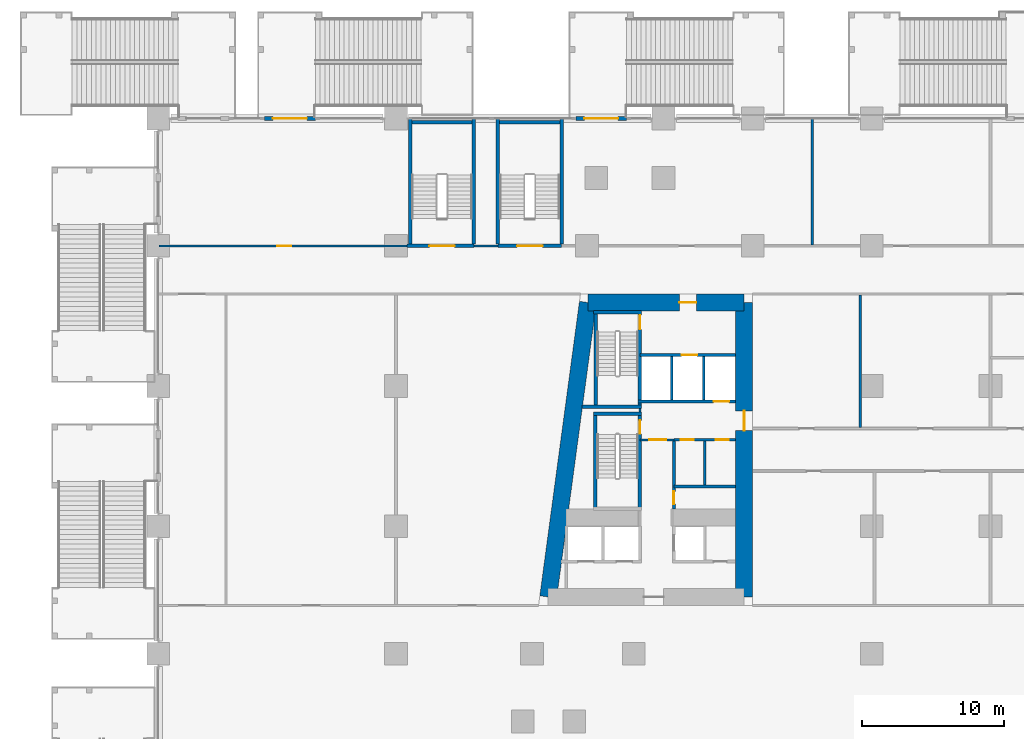
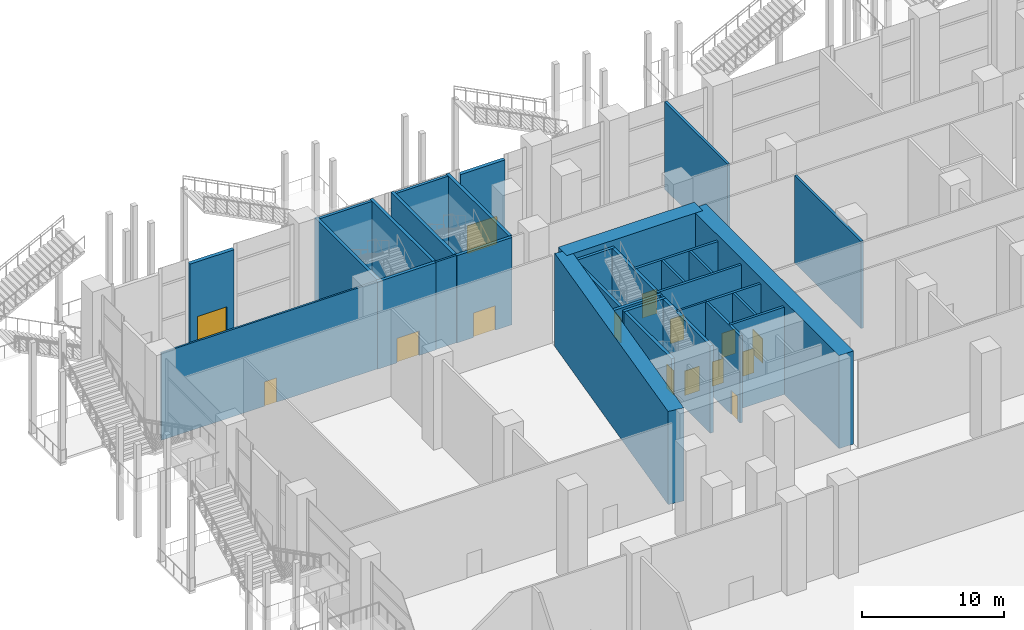
# One storey, part 28 of 52: 34 walls, 15 doors, 15 openings.
"""IFC4 building model written with IfcOpenShell, lengths in metres."""

from ifc_helpers import new_model, si_unit, direction, frame, frame_2d, origin, place, context, subcontext, project, spatial, rectangle, extrude, material, layer, layer_set, type_object, element, fill, save


model = new_model("IFC4")

# Units and contexts
model_context = context("Model", 3, precision=1e-05, world=origin(), true_north=direction((0.0, 1.0)))
body_context = subcontext(model_context, "Body", "Model", "MODEL_VIEW")
ifc_project = project(units=[si_unit("LENGTHUNIT", "METRE"), si_unit("AREAUNIT", "SQUARE_METRE"), si_unit("VOLUMEUNIT", "CUBIC_METRE"), si_unit("PLANEANGLEUNIT", "RADIAN"), si_unit("MASSUNIT", "GRAM", prefix="KILO")], contexts=[model_context])

# Site, building, storey
site_placement = place(None, origin())
site = spatial("IfcSite", under=ifc_project, at=site_placement, CompositionType="ELEMENT")
building_placement = place(site_placement, origin())
building = spatial("IfcBuilding", under=site, at=building_placement, Name="Candeia Pilgrim Tower and Theatre", CompositionType="ELEMENT")
storey_placement = place(building_placement, frame((0.0, 0.0, 9.0)))
storey = spatial("IfcBuildingStorey", under=building, at=storey_placement, Name="L01", CompositionType="ELEMENT", Elevation=9.0)

# Wall, opening, door
ifc_material_1 = material(Name="Concrete C80/95", Category="concrete")
ifc_layer_1 = layer(ifc_material_1, 1.199951171875)
ifc_layer_set_1 = layer_set([ifc_layer_1], Name="Core wall 1200 C80/95")
wall_type_1 = type_object("IfcWallType", Name="Core wall 1200 C80/95", PredefinedType="SHEAR", material=ifc_layer_set_1)
wall_1_placement = place(storey_placement, frame((89.155517578125, 131.800048828125, 0.0), z_axis=(0.0, 0.0, 1.0), x_axis=(1.0, 0.0, 0.0)))
wall_1 = element("IfcWall", 1, at=wall_1_placement, inside=storey, type_object=wall_type_1, Name="Core wall W1", PredefinedType="SHEAR", context=body_context, shape_type="SweptSolid", body=[
    extrude(rectangle(XDim=11.04443359375, YDim=1.199951171875, at=frame_2d((5.522216796875, 0.0))), origin(), (0.0, 0.0, 1.0), 8.0),
])
opening_1_placement = place(wall_1_placement, frame((6.4580078125, 0.0, 0.0)))
opening_1 = element("IfcOpeningElement", 2, at=opening_1_placement, cuts=wall_1, Name="Opening L01-D049", PredefinedType="OPENING", context=body_context, shape_type="SweptSolid", body=[
    extrude(rectangle(XDim=1.199951171875, YDim=2.10009765625, at=frame_2d((0.60009765625, 1.050048828125))), frame((0.0, 0.60986328125, 0.0), z_axis=(0.0, -1.0, 0.0), x_axis=(1.0, 0.0, 0.0)), (0.0, 0.0, 1.0), 1.219970703125),
])
ifc_material_2 = material(Name="Steel fire door set", Category="steel")
door_type_1 = type_object("IfcDoorType", Name="D-1200-FD60", OperationType="NOTDEFINED", PredefinedType="DOOR", material=ifc_material_2)
door_1_placement = place(opening_1_placement, origin())
door_1 = element("IfcDoor", 3, at=door_1_placement, inside=storey, type_object=door_type_1, Name="Door L01-D049", OperationType="SINGLE_SWING_RIGHT", OverallHeight=2.10009765625, OverallWidth=1.199951171875, PredefinedType="DOOR", context=body_context, shape_type="SweptSolid", body=[
    extrude(rectangle(XDim=1.199951171875, YDim=2.10009765625, at=frame_2d((0.60009765625, 1.050048828125))), frame((0.0, 0.02490234375, 0.0), z_axis=(0.0, -1.0, 0.0), x_axis=(1.0, 0.0, 0.0)), (0.0, 0.0, 1.0), 0.050048828125),
])
fill(opening_1, door_1)

wall_2_placement = place(storey_placement, frame((100.199951171875, 131.800048828125, 0.0), z_axis=(0.0, 0.0, 1.0), x_axis=(0.0, -1.0, 0.0)))
wall_2 = element("IfcWall", 4, at=wall_2_placement, inside=storey, type_object=wall_type_1, Name="Core wall W2", PredefinedType="SHEAR", context=body_context, shape_type="SweptSolid", body=[
    extrude(rectangle(XDim=20.800048828125, YDim=1.199951171875, at=frame_2d((10.39990234375, 0.0))), origin(), (0.0, 0.0, 1.0), 8.0),
])
opening_2_placement = place(wall_2_placement, frame((7.64990234375, 0.0, 0.0)))
opening_2 = element("IfcOpeningElement", 5, at=opening_2_placement, cuts=wall_2, Name="Opening L01-D050", PredefinedType="OPENING", context=body_context, shape_type="SweptSolid", body=[
    extrude(rectangle(XDim=1.39990234375, YDim=2.10009765625, at=frame_2d((0.699951171875, 1.050048828125))), frame((0.0, 0.60986328125, 0.0), z_axis=(0.0, -1.0, 0.0), x_axis=(1.0, 0.0, 0.0)), (0.0, 0.0, 1.0), 1.219970703125),
])
door_type_2 = type_object("IfcDoorType", Name="D-1400-FD60", OperationType="NOTDEFINED", PredefinedType="DOOR", material=ifc_material_2)
door_2_placement = place(opening_2_placement, origin())
door_2 = element("IfcDoor", 6, at=door_2_placement, inside=storey, type_object=door_type_2, Name="Door L01-D050", OperationType="SINGLE_SWING_LEFT", OverallHeight=2.10009765625, OverallWidth=1.39990234375, PredefinedType="DOOR", context=body_context, shape_type="SweptSolid", body=[
    extrude(rectangle(XDim=1.39990234375, YDim=2.10009765625, at=frame_2d((0.699951171875, 1.050048828125))), frame((0.0, 0.02490234375, 0.0), z_axis=(0.0, -1.0, 0.0), x_axis=(1.0, 0.0, 0.0)), (0.0, 0.0, 1.0), 0.050048828125),
])
fill(opening_2, door_2)

# Wall
wall_3_placement = place(storey_placement, frame((86.35546875, 111.0, 0.0), z_axis=(0.0, 0.0, 1.0), x_axis=(0.133413989637, 0.99106039542, 0.0)))
element("IfcWall", 7, at=wall_3_placement, inside=storey, type_object=wall_type_1, Name="Core wall W4", PredefinedType="SHEAR", context=body_context, shape_type="SweptSolid", body=[
    extrude(rectangle(XDim=20.987548828125, YDim=1.199951171875, at=frame_2d((10.49365234375, 0.0))), origin(), (0.0, 0.0, 1.0), 8.0),
])

# Wall, opening, door
ifc_material_3 = material(Name="Ceramic block masonry", Category="masonry")
ifc_layer_2 = layer(ifc_material_3, 0.300048828125)
ifc_layer_set_2 = layer_set([ifc_layer_2], Name="EW2 entrance infill wall 300")
wall_type_2 = type_object("IfcWallType", Name="EW2 entrance infill wall 300", PredefinedType="SOLIDWALL", material=ifc_layer_set_2)
wall_4_placement = place(storey_placement, frame((66.300048828125, 144.800048828125, 0.0), z_axis=(0.0, 0.0, 1.0), x_axis=(1.0, 0.0, 0.0)))
wall_4 = element("IfcWall", 8, at=wall_4_placement, inside=storey, type_object=wall_type_2, Name="Entrance wall L01", PredefinedType="SOLIDWALL", context=body_context, shape_type="SweptSolid", body=[
    extrude(rectangle(XDim=3.599853515625, YDim=0.300048828125, at=frame_2d((1.7998046875, 0.0))), origin(), (0.0, 0.0, 1.0), 7.10009765625),
])
opening_3_placement = place(wall_4_placement, frame((0.60009765625, 0.0, 0.0)))
opening_3 = element("IfcOpeningElement", 9, at=opening_3_placement, cuts=wall_4, Name="Opening L01-ED033", PredefinedType="OPENING", context=body_context, shape_type="SweptSolid", body=[
    extrude(rectangle(XDim=2.39990234375, YDim=2.39990234375, at=frame_2d((1.199951171875, 1.199951171875))), frame((0.0, 0.16015625, 0.0), z_axis=(0.0, -1.0, 0.0), x_axis=(1.0, 0.0, 0.0)), (0.0, 0.0, 1.0), 0.320068359375),
])
ifc_material_4 = material(Name="Aluminium framed glazed door", Category="aluminium")
door_type_3 = type_object("IfcDoorType", Name="ED entrance double door 2400x2400", OperationType="DOUBLE_DOOR_DOUBLE_SWING", PredefinedType="DOOR", material=ifc_material_4)
door_3_placement = place(opening_3_placement, origin())
door_3 = element("IfcDoor", 10, at=door_3_placement, inside=storey, type_object=door_type_3, Name="Entrance door L01-ED033", OperationType="DOUBLE_DOOR_DOUBLE_SWING", OverallHeight=2.39990234375, OverallWidth=2.39990234375, PredefinedType="DOOR", context=body_context, shape_type="SweptSolid", body=[
    extrude(rectangle(XDim=2.39990234375, YDim=2.39990234375, at=frame_2d((1.199951171875, 1.199951171875))), frame((0.0, 0.02490234375, 0.0), z_axis=(0.0, -1.0, 0.0), x_axis=(1.0, 0.0, 0.0)), (0.0, 0.0, 1.0), 0.050048828125),
])
fill(opening_3, door_3)

wall_5_placement = place(storey_placement, frame((88.300048828125, 144.800048828125, 0.0), z_axis=(0.0, 0.0, 1.0), x_axis=(1.0, 0.0, 0.0)))
wall_5 = element("IfcWall", 11, at=wall_5_placement, inside=storey, type_object=wall_type_2, Name="Entrance wall L01", PredefinedType="SOLIDWALL", context=body_context, shape_type="SweptSolid", body=[
    extrude(rectangle(XDim=3.599853515625, YDim=0.300048828125, at=frame_2d((1.7998046875, 0.0))), origin(), (0.0, 0.0, 1.0), 7.10009765625),
])
opening_4_placement = place(wall_5_placement, frame((0.60009765625, 0.0, 0.0)))
opening_4 = element("IfcOpeningElement", 12, at=opening_4_placement, cuts=wall_5, Name="Opening L01-ED034", PredefinedType="OPENING", context=body_context, shape_type="SweptSolid", body=[
    extrude(rectangle(XDim=2.39990234375, YDim=2.39990234375, at=frame_2d((1.199951171875, 1.199951171875))), frame((0.0, 0.16015625, 0.0), z_axis=(0.0, -1.0, 0.0), x_axis=(1.0, 0.0, 0.0)), (0.0, 0.0, 1.0), 0.320068359375),
])
door_4_placement = place(opening_4_placement, origin())
door_4 = element("IfcDoor", 13, at=door_4_placement, inside=storey, type_object=door_type_3, Name="Entrance door L01-ED034", OperationType="DOUBLE_DOOR_DOUBLE_SWING", OverallHeight=2.39990234375, OverallWidth=2.39990234375, PredefinedType="DOOR", context=body_context, shape_type="SweptSolid", body=[
    extrude(rectangle(XDim=2.39990234375, YDim=2.39990234375, at=frame_2d((1.199951171875, 1.199951171875))), frame((0.0, 0.02490234375, 0.0), z_axis=(0.0, -1.0, 0.0), x_axis=(1.0, 0.0, 0.0)), (0.0, 0.0, 1.0), 0.050048828125),
])
fill(opening_4, door_4)

ifc_material_5 = material(Name="Gypsum board partition on steel studs", Category="steel")
ifc_layer_3 = layer(ifc_material_5, 0.14990234375)
ifc_layer_set_3 = layer_set([ifc_layer_3], Name="PW-150 lobby wall")
wall_type_3 = type_object("IfcWallType", Name="PW-150 lobby wall", PredefinedType="PARTITIONING", material=ifc_layer_set_3)
wall_6_placement = place(storey_placement, frame((92.826904296875, 122.10009765625, 0.0), z_axis=(0.0, 0.0, 1.0), x_axis=(1.0, 0.0, 0.0)))
wall_6 = element("IfcWall", 14, at=wall_6_placement, inside=storey, type_object=wall_type_3, Name="Lobby wall L01-016", PredefinedType="PARTITIONING", context=body_context, shape_type="SweptSolid", body=[
    extrude(rectangle(XDim=2.400146484375, YDim=0.14990234375, at=frame_2d((1.2001953125, 0.0))), origin(), (0.0, 0.0, 1.0), 7.5),
])
opening_5_placement = place(wall_6_placement, frame((0.64990234375, 0.0, 0.0)))
opening_5 = element("IfcOpeningElement", 15, at=opening_5_placement, cuts=wall_6, Name="Opening L01-D032", PredefinedType="OPENING", context=body_context, shape_type="SweptSolid", body=[
    extrude(rectangle(XDim=1.199951171875, YDim=2.10009765625, at=frame_2d((0.60009765625, 1.050048828125))), frame((0.0, 0.0849609375, 0.0), z_axis=(0.0, -1.0, 0.0), x_axis=(1.0, 0.0, 0.0)), (0.0, 0.0, 1.0), 0.169921875),
])
door_5_placement = place(opening_5_placement, origin())
door_5 = element("IfcDoor", 16, at=door_5_placement, inside=storey, type_object=door_type_1, Name="Door L01-D032", OperationType="SINGLE_SWING_LEFT", OverallHeight=2.10009765625, OverallWidth=1.199951171875, PredefinedType="DOOR", context=body_context, shape_type="SweptSolid", body=[
    extrude(rectangle(XDim=1.199951171875, YDim=2.10009765625, at=frame_2d((0.60009765625, 1.050048828125))), frame((0.0, 0.02490234375, 0.0), z_axis=(0.0, -1.0, 0.0), x_axis=(1.0, 0.0, 0.0)), (0.0, 0.0, 1.0), 0.050048828125),
])
fill(opening_5, door_5)

# Wall
wall_7_placement = place(storey_placement, frame((92.826904296875, 124.074951171875, 0.0), z_axis=(0.0, 0.0, 1.0), x_axis=(0.0, 1.0, 0.0)))
element("IfcWall", 17, at=wall_7_placement, inside=storey, type_object=wall_type_3, Name="Lobby wall L01-059", PredefinedType="PARTITIONING", context=body_context, shape_type="SweptSolid", body=[
    extrude(rectangle(XDim=0.25, YDim=0.14990234375, at=frame_2d((0.125, 0.0))), origin(), (0.0, 0.0, 1.0), 7.5),
])

# Wall, opening, door
ifc_layer_4 = layer(ifc_material_5, 0.14990234375)
ifc_layer_set_4 = layer_set([ifc_layer_4], Name="PW-150 unit wall")
wall_type_4 = type_object("IfcWallType", Name="PW-150 unit wall", PredefinedType="PARTITIONING", material=ifc_layer_set_4)
wall_8_placement = place(storey_placement, frame((58.85009765625, 135.800048828125, 0.0), z_axis=(0.0, 0.0, 1.0), x_axis=(1.0, 0.0, 0.0)))
wall_8 = element("IfcWall", 18, at=wall_8_placement, inside=storey, type_object=wall_type_4, Name="Unit wall L01-039", PredefinedType="PARTITIONING", context=body_context, shape_type="SweptSolid", body=[
    extrude(rectangle(XDim=17.52001953125, YDim=0.14990234375, at=frame_2d((8.760009765625, 0.0))), origin(), (0.0, 0.0, 1.0), 7.5),
])
opening_6_placement = place(wall_8_placement, frame((8.35009765625, 0.0, 0.0)))
opening_6 = element("IfcOpeningElement", 19, at=opening_6_placement, cuts=wall_8, Name="Opening L01-D024", PredefinedType="OPENING", context=body_context, shape_type="SweptSolid", body=[
    extrude(rectangle(XDim=1.0, YDim=2.10009765625, at=frame_2d((0.5, 1.050048828125))), frame((0.0, 0.0849609375, 0.0), z_axis=(0.0, -1.0, 0.0), x_axis=(1.0, 0.0, 0.0)), (0.0, 0.0, 1.0), 0.169921875),
])
door_type_4 = type_object("IfcDoorType", Name="D-1000-FD30S", OperationType="NOTDEFINED", PredefinedType="DOOR", material=ifc_material_2)
door_6_placement = place(opening_6_placement, origin())
door_6 = element("IfcDoor", 20, at=door_6_placement, inside=storey, type_object=door_type_4, Name="Door L01-D024", OperationType="SINGLE_SWING_LEFT", OverallHeight=2.10009765625, OverallWidth=1.0, PredefinedType="DOOR", context=body_context, shape_type="SweptSolid", body=[
    extrude(rectangle(XDim=1.0, YDim=2.10009765625, at=frame_2d((0.5, 1.050048828125))), frame((0.0, 0.02490234375, 0.0), z_axis=(0.0, -1.0, 0.0), x_axis=(1.0, 0.0, 0.0)), (0.0, 0.0, 1.0), 0.050048828125),
])
fill(opening_6, door_6)

# Walls
wall_9_placement = place(storey_placement, frame((81.10009765625, 135.800048828125, 0.0), z_axis=(0.0, 0.0, 1.0), x_axis=(1.0, 0.0, 0.0)))
element("IfcWall", 21, at=wall_9_placement, inside=storey, type_object=wall_type_4, Name="Unit wall L01-040", PredefinedType="PARTITIONING", context=body_context, shape_type="SweptSolid", body=[
    extrude(rectangle(XDim=1.699951171875, YDim=0.14990234375, at=frame_2d((0.85009765625, 0.0))), origin(), (0.0, 0.0, 1.0), 7.5),
])
ifc_layer_5 = layer(ifc_material_5, 0.199951171875)
ifc_layer_set_5 = layer_set([ifc_layer_5], Name="PW-200 party wall")
wall_type_5 = type_object("IfcWallType", Name="PW-200 party wall", PredefinedType="PARTITIONING", material=ifc_layer_set_5)
wall_10_placement = place(storey_placement, frame((105.0, 135.875, 0.0), z_axis=(0.0, 0.0, 1.0), x_axis=(0.0, 1.0, 0.0)))
element("IfcWall", 22, at=wall_10_placement, inside=storey, type_object=wall_type_5, Name="Party wall L01-069", PredefinedType="PARTITIONING", context=body_context, shape_type="SweptSolid", body=[
    extrude(rectangle(XDim=8.875, YDim=0.199951171875, at=frame_2d((4.4375, 0.0))), origin(), (0.0, 0.0, 1.0), 7.5),
])
wall_11_placement = place(storey_placement, frame((108.39990234375, 122.97509765625, 0.0), z_axis=(0.0, 0.0, 1.0), x_axis=(0.0, 1.0, 0.0)))
element("IfcWall", 23, at=wall_11_placement, inside=storey, type_object=wall_type_5, Name="Party wall L01-070", PredefinedType="PARTITIONING", context=body_context, shape_type="SweptSolid", body=[
    extrude(rectangle(XDim=9.349853515625, YDim=0.199951171875, at=frame_2d((4.6748046875, 0.0))), origin(), (0.0, 0.0, 1.0), 7.5),
])
ifc_material_6 = material(Name="Concrete C40/50", Category="concrete")
ifc_layer_6 = layer(ifc_material_6, 0.199951171875)
ifc_layer_set_6 = layer_set([ifc_layer_6], Name="SW-200 shaft wall")
wall_type_6 = type_object("IfcWallType", Name="SW-200 shaft wall", PredefinedType="PARTITIONING", material=ifc_layer_set_6)
wall_12_placement = place(storey_placement, frame((95.22705078125, 118.800048828125, 0.0), z_axis=(0.0, 0.0, 1.0), x_axis=(1.0, 0.0, 0.0)))
element("IfcWall", 24, at=wall_12_placement, inside=storey, type_object=wall_type_6, Name="Shaft wall L01-011", PredefinedType="PARTITIONING", context=body_context, shape_type="SweptSolid", body=[
    extrude(rectangle(XDim=4.373046875, YDim=0.199951171875, at=frame_2d((2.1865234375, 0.0))), origin(), (0.0, 0.0, 1.0), 7.5),
])

# Wall, openings, doors
wall_13_placement = place(storey_placement, frame((95.22705078125, 122.10009765625, 0.0), z_axis=(0.0, 0.0, 1.0), x_axis=(1.0, 0.0, 0.0)))
wall_13 = element("IfcWall", 25, at=wall_13_placement, inside=storey, type_object=wall_type_6, Name="Shaft wall L01-014", PredefinedType="PARTITIONING", context=body_context, shape_type="SweptSolid", body=[
    extrude(rectangle(XDim=4.373046875, YDim=0.199951171875, at=frame_2d((2.1865234375, 0.0))), origin(), (0.0, 0.0, 1.0), 7.5),
])
opening_7_placement = place(wall_13_placement, frame((0.4970703125, 0.0, 0.0)))
opening_7 = element("IfcOpeningElement", 26, at=opening_7_placement, cuts=wall_13, Name="Opening L01-D033", PredefinedType="OPENING", context=body_context, shape_type="SweptSolid", body=[
    extrude(rectangle(XDim=0.89990234375, YDim=2.10009765625, at=frame_2d((0.449951171875, 1.050048828125))), frame((0.0, 0.10986328125, 0.0), z_axis=(0.0, -1.0, 0.0), x_axis=(1.0, 0.0, 0.0)), (0.0, 0.0, 1.0), 0.219970703125),
])
opening_8_placement = place(wall_13_placement, frame((2.97607421875, 0.0, 0.0)))
opening_8 = element("IfcOpeningElement", 27, at=opening_8_placement, cuts=wall_13, Name="Opening L01-D034", PredefinedType="OPENING", context=body_context, shape_type="SweptSolid", body=[
    extrude(rectangle(XDim=0.89990234375, YDim=2.10009765625, at=frame_2d((0.449951171875, 1.050048828125))), frame((0.0, 0.10986328125, 0.0), z_axis=(0.0, -1.0, 0.0), x_axis=(1.0, 0.0, 0.0)), (0.0, 0.0, 1.0), 0.219970703125),
])
door_type_5 = type_object("IfcDoorType", Name="D-900-FD60", OperationType="NOTDEFINED", PredefinedType="DOOR", material=ifc_material_2)
door_7_placement = place(opening_7_placement, origin())
door_7 = element("IfcDoor", 28, at=door_7_placement, inside=storey, type_object=door_type_5, Name="Door L01-D033", OperationType="SINGLE_SWING_RIGHT", OverallHeight=2.10009765625, OverallWidth=0.89990234375, PredefinedType="DOOR", context=body_context, shape_type="SweptSolid", body=[
    extrude(rectangle(XDim=0.89990234375, YDim=2.10009765625, at=frame_2d((0.449951171875, 1.050048828125))), frame((0.0, 0.02490234375, 0.0), z_axis=(0.0, -1.0, 0.0), x_axis=(1.0, 0.0, 0.0)), (0.0, 0.0, 1.0), 0.050048828125),
])
fill(opening_7, door_7)
door_8_placement = place(opening_8_placement, origin())
door_8 = element("IfcDoor", 29, at=door_8_placement, inside=storey, type_object=door_type_5, Name="Door L01-D034", OperationType="SINGLE_SWING_LEFT", OverallHeight=2.10009765625, OverallWidth=0.89990234375, PredefinedType="DOOR", context=body_context, shape_type="SweptSolid", body=[
    extrude(rectangle(XDim=0.89990234375, YDim=2.10009765625, at=frame_2d((0.449951171875, 1.050048828125))), frame((0.0, 0.02490234375, 0.0), z_axis=(0.0, -1.0, 0.0), x_axis=(1.0, 0.0, 0.0)), (0.0, 0.0, 1.0), 0.050048828125),
])
fill(opening_8, door_8)

# Wall, opening, door
wall_14_placement = place(storey_placement, frame((92.701904296875, 124.800048828125, 0.0), z_axis=(0.0, 0.0, 1.0), x_axis=(1.0, 0.0, 0.0)))
wall_14 = element("IfcWall", 30, at=wall_14_placement, inside=storey, type_object=wall_type_6, Name="Shaft wall L01-023", PredefinedType="PARTITIONING", context=body_context, shape_type="SweptSolid", body=[
    extrude(rectangle(XDim=6.898193359375, YDim=0.199951171875, at=frame_2d((3.44921875, 0.0))), origin(), (0.0, 0.0, 1.0), 7.5),
])
opening_9_placement = place(wall_14_placement, frame((5.333984375, 0.0, 0.0)))
opening_9 = element("IfcOpeningElement", 31, at=opening_9_placement, cuts=wall_14, Name="Opening L01-LD02", PredefinedType="OPENING", context=body_context, shape_type="SweptSolid", body=[
    extrude(rectangle(XDim=1.10009765625, YDim=2.10009765625, at=frame_2d((0.550048828125, 1.050048828125))), frame((0.0, 0.10986328125, 0.0), z_axis=(0.0, -1.0, 0.0), x_axis=(1.0, 0.0, 0.0)), (0.0, 0.0, 1.0), 0.219970703125),
])
ifc_material_7 = material(Name="Glazed aluminium landing door", Category="aluminium")
door_type_6 = type_object("IfcDoorType", Name="LD-1100-EI120", OperationType="SLIDING_TO_LEFT", PredefinedType="DOOR", material=ifc_material_7)
door_9_placement = place(opening_9_placement, origin())
door_9 = element("IfcDoor", 32, at=door_9_placement, inside=storey, type_object=door_type_6, Name="Landing door 02 L01", OperationType="SLIDING_TO_LEFT", OverallHeight=2.10009765625, OverallWidth=1.10009765625, PredefinedType="DOOR", context=body_context, shape_type="SweptSolid", body=[
    extrude(rectangle(XDim=1.10009765625, YDim=2.10009765625, at=frame_2d((0.550048828125, 1.050048828125))), frame((0.0, 0.02490234375, 0.0), z_axis=(0.0, -1.0, 0.0), x_axis=(1.0, 0.0, 0.0)), (0.0, 0.0, 1.0), 0.050048828125),
])
fill(opening_9, door_9)

wall_15_placement = place(storey_placement, frame((92.826904296875, 128.10009765625, 0.0), z_axis=(0.0, 0.0, 1.0), x_axis=(1.0, 0.0, 0.0)))
wall_15 = element("IfcWall", 33, at=wall_15_placement, inside=storey, type_object=wall_type_6, Name="Shaft wall L01-027", PredefinedType="PARTITIONING", context=body_context, shape_type="SweptSolid", body=[
    extrude(rectangle(XDim=6.773193359375, YDim=0.199951171875, at=frame_2d((3.38671875, 0.0))), origin(), (0.0, 0.0, 1.0), 7.5),
])
opening_10_placement = place(wall_15_placement, frame((2.950927734375, 0.0, 0.0)))
opening_10 = element("IfcOpeningElement", 34, at=opening_10_placement, cuts=wall_15, Name="Opening L01-LD01", PredefinedType="OPENING", context=body_context, shape_type="SweptSolid", body=[
    extrude(rectangle(XDim=1.10009765625, YDim=2.10009765625, at=frame_2d((0.550048828125, 1.050048828125))), frame((0.0, 0.10986328125, 0.0), z_axis=(0.0, -1.0, 0.0), x_axis=(1.0, 0.0, 0.0)), (0.0, 0.0, 1.0), 0.219970703125),
])
door_10_placement = place(opening_10_placement, origin())
door_10 = element("IfcDoor", 35, at=door_10_placement, inside=storey, type_object=door_type_6, Name="Landing door 01 L01", OperationType="SLIDING_TO_LEFT", OverallHeight=2.10009765625, OverallWidth=1.10009765625, PredefinedType="DOOR", context=body_context, shape_type="SweptSolid", body=[
    extrude(rectangle(XDim=1.10009765625, YDim=2.10009765625, at=frame_2d((0.550048828125, 1.050048828125))), frame((0.0, 0.02490234375, 0.0), z_axis=(0.0, -1.0, 0.0), x_axis=(1.0, 0.0, 0.0)), (0.0, 0.0, 1.0), 0.050048828125),
])
fill(opening_10, door_10)

# Wall
wall_16_placement = place(storey_placement, frame((95.084716796875, 124.89990234375, 0.0), z_axis=(0.0, 0.0, 1.0), x_axis=(0.0, 1.0, 0.0)))
element("IfcWall", 36, at=wall_16_placement, inside=storey, type_object=wall_type_6, Name="Shaft wall L01-062", PredefinedType="PARTITIONING", context=body_context, shape_type="SweptSolid", body=[
    extrude(rectangle(XDim=3.10009765625, YDim=0.199951171875, at=frame_2d((1.550048828125, 0.0))), origin(), (0.0, 0.0, 1.0), 7.5),
])

# Wall, opening, door
wall_17_placement = place(storey_placement, frame((95.22705078125, 117.199951171875, 0.0), z_axis=(0.0, 0.0, 1.0), x_axis=(0.0, 1.0, 0.0)))
wall_17 = element("IfcWall", 37, at=wall_17_placement, inside=storey, type_object=wall_type_6, Name="Shaft wall L01-065", PredefinedType="PARTITIONING", context=body_context, shape_type="SweptSolid", body=[
    extrude(rectangle(XDim=4.800048828125, YDim=0.199951171875, at=frame_2d((2.39990234375, 0.0))), origin(), (0.0, 0.0, 1.0), 7.5),
])
opening_11_placement = place(wall_17_placement, frame((0.35009765625, 0.0, 0.0)))
opening_11 = element("IfcOpeningElement", 38, at=opening_11_placement, cuts=wall_17, Name="Opening L01-D037", PredefinedType="OPENING", context=body_context, shape_type="SweptSolid", body=[
    extrude(rectangle(XDim=0.89990234375, YDim=2.10009765625, at=frame_2d((0.449951171875, 1.050048828125))), frame((0.0, 0.10986328125, 0.0), z_axis=(0.0, -1.0, 0.0), x_axis=(1.0, 0.0, 0.0)), (0.0, 0.0, 1.0), 0.219970703125),
])
door_11_placement = place(opening_11_placement, origin())
door_11 = element("IfcDoor", 39, at=door_11_placement, inside=storey, type_object=door_type_5, Name="Door L01-D037", OperationType="SINGLE_SWING_RIGHT", OverallHeight=2.10009765625, OverallWidth=0.89990234375, PredefinedType="DOOR", context=body_context, shape_type="SweptSolid", body=[
    extrude(rectangle(XDim=0.89990234375, YDim=2.10009765625, at=frame_2d((0.449951171875, 1.050048828125))), frame((0.0, 0.02490234375, 0.0), z_axis=(0.0, -1.0, 0.0), x_axis=(1.0, 0.0, 0.0)), (0.0, 0.0, 1.0), 0.050048828125),
])
fill(opening_11, door_11)

# Walls
for number, where, z_axis, x_axis, name in (
    (40, (97.34228515625, 124.89990234375, 0.0), (0.0, 0.0, 1.0), (0.0, 1.0, 0.0), "Shaft wall L01-066"),
    (41, (97.41357421875, 118.89990234375, 0.0), (0.0, 0.0, 1.0), (0.0, 1.0, 0.0), "Shaft wall L01-068"),
):
    element("IfcWall", number, at=place(storey_placement, frame(where, z_axis=z_axis, x_axis=x_axis)), inside=storey, type_object=wall_type_6, Name=name, PredefinedType="PARTITIONING", context=body_context, shape_type="SweptSolid", body=[
        extrude(rectangle(XDim=3.10009765625, YDim=0.199951171875, at=frame_2d((1.550048828125, 0.0))), origin(), (0.0, 0.0, 1.0), 7.5),
    ])
ifc_layer_7 = layer(ifc_material_6, 0.25)
ifc_layer_set_7 = layer_set([ifc_layer_7], Name="SW-250 stair wall")
wall_type_7 = type_object("IfcWallType", Name="SW-250 stair wall", PredefinedType="PARTITIONING", material=ifc_layer_set_7)
wall_18_placement = place(storey_placement, frame((89.552001953125, 123.949951171875, 0.0), z_axis=(0.0, 0.0, 1.0), x_axis=(1.0, 0.0, 0.0)))
element("IfcWall", 42, at=wall_18_placement, inside=storey, type_object=wall_type_7, Name="Stair wall L01-019", PredefinedType="PARTITIONING", context=body_context, shape_type="SweptSolid", body=[
    extrude(rectangle(XDim=3.39990234375, YDim=0.25, at=frame_2d((1.699951171875, 0.0))), origin(), (0.0, 0.0, 1.0), 7.5),
])
wall_19_placement = place(storey_placement, frame((88.741455078125, 124.449951171875, 0.0), z_axis=(0.0, 0.0, 1.0), x_axis=(1.0, 0.0, 0.0)))
element("IfcWall", 43, at=wall_19_placement, inside=storey, type_object=wall_type_7, Name="Stair wall L01-021", PredefinedType="PARTITIONING", context=body_context, shape_type="SweptSolid", body=[
    extrude(rectangle(XDim=4.21044921875, YDim=0.25, at=frame_2d((2.105224609375, 0.0))), origin(), (0.0, 0.0, 1.0), 7.5),
])
wall_20_placement = place(storey_placement, frame((89.552001953125, 131.10107421875, 0.0), z_axis=(0.0, 0.0, 1.0), x_axis=(1.0, 0.0, 0.0)))
element("IfcWall", 44, at=wall_20_placement, inside=storey, type_object=wall_type_7, Name="Stair wall L01-030", PredefinedType="PARTITIONING", context=body_context, shape_type="SweptSolid", body=[
    extrude(rectangle(XDim=3.39990234375, YDim=0.25, at=frame_2d((1.699951171875, 0.0))), origin(), (0.0, 0.0, 1.0), 7.5),
])

# Wall, opening, door
wall_21_placement = place(storey_placement, frame((76.3701171875, 135.800048828125, 0.0), z_axis=(0.0, 0.0, 1.0), x_axis=(1.0, 0.0, 0.0)))
wall_21 = element("IfcWall", 45, at=wall_21_placement, inside=storey, type_object=wall_type_7, Name="Stair wall L01-035", PredefinedType="PARTITIONING", context=body_context, shape_type="SweptSolid", body=[
    extrude(rectangle(XDim=4.72998046875, YDim=0.25, at=frame_2d((2.364990234375, 0.0))), origin(), (0.0, 0.0, 1.0), 7.5),
])
opening_12_placement = place(wall_21_placement, frame((1.580078125, 0.0, 0.0)))
opening_12 = element("IfcOpeningElement", 46, at=opening_12_placement, cuts=wall_21, Name="Opening L01-D020", PredefinedType="OPENING", context=body_context, shape_type="SweptSolid", body=[
    extrude(rectangle(XDim=1.800048828125, YDim=2.10009765625, at=frame_2d((0.89990234375, 1.050048828125))), frame((0.0, 0.135009765625, 0.0), z_axis=(0.0, -1.0, 0.0), x_axis=(1.0, 0.0, 0.0)), (0.0, 0.0, 1.0), 0.27001953125),
])
ifc_material_8 = material(Name="Steel exit door", Category="steel")
door_type_7 = type_object("IfcDoorType", Name="DX-1800-FD60", OperationType="NOTDEFINED", PredefinedType="DOOR", material=ifc_material_8)
door_12_placement = place(opening_12_placement, origin())
door_12 = element("IfcDoor", 47, at=door_12_placement, inside=storey, type_object=door_type_7, Name="Door L01-D020", OperationType="SINGLE_SWING_LEFT", OverallHeight=2.10009765625, OverallWidth=1.800048828125, PredefinedType="DOOR", context=body_context, shape_type="SweptSolid", body=[
    extrude(rectangle(XDim=1.800048828125, YDim=2.10009765625, at=frame_2d((0.89990234375, 1.050048828125))), frame((0.0, 0.02490234375, 0.0), z_axis=(0.0, -1.0, 0.0), x_axis=(1.0, 0.0, 0.0)), (0.0, 0.0, 1.0), 0.050048828125),
])
fill(opening_12, door_12)

wall_22_placement = place(storey_placement, frame((82.800048828125, 135.800048828125, 0.0), z_axis=(0.0, 0.0, 1.0), x_axis=(1.0, 0.0, 0.0)))
wall_22 = element("IfcWall", 48, at=wall_22_placement, inside=storey, type_object=wall_type_7, Name="Stair wall L01-036", PredefinedType="PARTITIONING", context=body_context, shape_type="SweptSolid", body=[
    extrude(rectangle(XDim=4.5, YDim=0.25, at=frame_2d((2.25, 0.0))), origin(), (0.0, 0.0, 1.0), 7.5),
])
opening_13_placement = place(wall_22_placement, frame((1.35009765625, 0.0, 0.0)))
opening_13 = element("IfcOpeningElement", 49, at=opening_13_placement, cuts=wall_22, Name="Opening L01-D021", PredefinedType="OPENING", context=body_context, shape_type="SweptSolid", body=[
    extrude(rectangle(XDim=1.800048828125, YDim=2.10009765625, at=frame_2d((0.89990234375, 1.050048828125))), frame((0.0, 0.135009765625, 0.0), z_axis=(0.0, -1.0, 0.0), x_axis=(1.0, 0.0, 0.0)), (0.0, 0.0, 1.0), 0.27001953125),
])
door_13_placement = place(opening_13_placement, origin())
door_13 = element("IfcDoor", 50, at=door_13_placement, inside=storey, type_object=door_type_7, Name="Door L01-D021", OperationType="SINGLE_SWING_RIGHT", OverallHeight=2.10009765625, OverallWidth=1.800048828125, PredefinedType="DOOR", context=body_context, shape_type="SweptSolid", body=[
    extrude(rectangle(XDim=1.800048828125, YDim=2.10009765625, at=frame_2d((0.89990234375, 1.050048828125))), frame((0.0, 0.02490234375, 0.0), z_axis=(0.0, -1.0, 0.0), x_axis=(1.0, 0.0, 0.0)), (0.0, 0.0, 1.0), 0.050048828125),
])
fill(opening_13, door_13)

# Walls
for number, where, z_axis, x_axis, name in (
    (51, (76.60009765625, 135.925048828125, 0.0), (0.0, 0.0, 1.0), (0.0, 1.0, 0.0), "Stair wall L01-048"),
    (52, (81.10009765625, 135.925048828125, 0.0), (0.0, 0.0, 1.0), (0.0, 1.0, 0.0), "Stair wall L01-049"),
    (53, (82.800048828125, 135.925048828125, 0.0), (0.0, 0.0, 1.0), (0.0, 1.0, 0.0), "Stair wall L01-050"),
    (54, (87.300048828125, 135.925048828125, 0.0), (0.0, 0.0, 1.0), (0.0, 1.0, 0.0), "Stair wall L01-051"),
):
    element("IfcWall", number, at=place(storey_placement, frame(where, z_axis=z_axis, x_axis=x_axis)), inside=storey, type_object=wall_type_7, Name=name, PredefinedType="PARTITIONING", context=body_context, shape_type="SweptSolid", body=[
        extrude(rectangle(XDim=8.824951171875, YDim=0.25, at=frame_2d((4.41259765625, 0.0))), origin(), (0.0, 0.0, 1.0), 7.5),
    ])
wall_23_placement = place(storey_placement, frame((89.677001953125, 117.169921875, 0.0), z_axis=(0.0, 0.0, 1.0), x_axis=(0.0, 1.0, 0.0)))
element("IfcWall", 55, at=wall_23_placement, inside=storey, type_object=wall_type_7, Name="Stair wall L01-054", PredefinedType="PARTITIONING", context=body_context, shape_type="SweptSolid", body=[
    extrude(rectangle(XDim=6.655029296875, YDim=0.25, at=frame_2d((3.32763671875, 0.0))), origin(), (0.0, 0.0, 1.0), 7.5),
])
wall_24_placement = place(storey_placement, frame((89.707275390625, 124.574951171875, 0.0), z_axis=(0.0, 0.0, 1.0), x_axis=(0.0, 1.0, 0.0)))
element("IfcWall", 56, at=wall_24_placement, inside=storey, type_object=wall_type_7, Name="Stair wall L01-055", PredefinedType="PARTITIONING", context=body_context, shape_type="SweptSolid", body=[
    extrude(rectangle(XDim=6.5, YDim=0.25, at=frame_2d((3.25, 0.0))), origin(), (0.0, 0.0, 1.0), 7.5),
])

# Wall, opening, door
wall_25_placement = place(storey_placement, frame((92.826904296875, 117.169921875, 0.0), z_axis=(0.0, 0.0, 1.0), x_axis=(0.0, 1.0, 0.0)))
wall_25 = element("IfcWall", 57, at=wall_25_placement, inside=storey, type_object=wall_type_7, Name="Stair wall L01-060", PredefinedType="PARTITIONING", context=body_context, shape_type="SweptSolid", body=[
    extrude(rectangle(XDim=6.655029296875, YDim=0.25, at=frame_2d((3.32763671875, 0.0))), origin(), (0.0, 0.0, 1.0), 7.5),
])
opening_14_placement = place(wall_25_placement, frame((5.35498046875, 0.0, 0.0)))
opening_14 = element("IfcOpeningElement", 58, at=opening_14_placement, cuts=wall_25, Name="Opening L01-D035", PredefinedType="OPENING", context=body_context, shape_type="SweptSolid", body=[
    extrude(rectangle(XDim=0.949951171875, YDim=2.10009765625, at=frame_2d((0.47509765625, 1.050048828125))), frame((0.0, 0.135009765625, 0.0), z_axis=(0.0, -1.0, 0.0), x_axis=(1.0, 0.0, 0.0)), (0.0, 0.0, 1.0), 0.27001953125),
])
door_type_8 = type_object("IfcDoorType", Name="D-950-FD60", OperationType="NOTDEFINED", PredefinedType="DOOR", material=ifc_material_2)
door_14_placement = place(opening_14_placement, origin())
door_14 = element("IfcDoor", 59, at=door_14_placement, inside=storey, type_object=door_type_8, Name="Door L01-D035", OperationType="SINGLE_SWING_RIGHT", OverallHeight=2.10009765625, OverallWidth=0.949951171875, PredefinedType="DOOR", context=body_context, shape_type="SweptSolid", body=[
    extrude(rectangle(XDim=0.949951171875, YDim=2.10009765625, at=frame_2d((0.47509765625, 1.050048828125))), frame((0.0, 0.02490234375, 0.0), z_axis=(0.0, -1.0, 0.0), x_axis=(1.0, 0.0, 0.0)), (0.0, 0.0, 1.0), 0.050048828125),
])
fill(opening_14, door_14)

wall_26_placement = place(storey_placement, frame((92.826904296875, 124.574951171875, 0.0), z_axis=(0.0, 0.0, 1.0), x_axis=(0.0, 1.0, 0.0)))
wall_26 = element("IfcWall", 60, at=wall_26_placement, inside=storey, type_object=wall_type_7, Name="Stair wall L01-061", PredefinedType="PARTITIONING", context=body_context, shape_type="SweptSolid", body=[
    extrude(rectangle(XDim=6.655029296875, YDim=0.25, at=frame_2d((3.32763671875, 0.0))), origin(), (0.0, 0.0, 1.0), 7.5),
])
opening_15_placement = place(wall_26_placement, frame((5.324951171875, 0.0, 0.0)))
opening_15 = element("IfcOpeningElement", 61, at=opening_15_placement, cuts=wall_26, Name="Opening L01-D036", PredefinedType="OPENING", context=body_context, shape_type="SweptSolid", body=[
    extrude(rectangle(XDim=1.0, YDim=2.10009765625, at=frame_2d((0.5, 1.050048828125))), frame((0.0, 0.135009765625, 0.0), z_axis=(0.0, -1.0, 0.0), x_axis=(1.0, 0.0, 0.0)), (0.0, 0.0, 1.0), 0.27001953125),
])
door_type_9 = type_object("IfcDoorType", Name="D-1000-FD60", OperationType="NOTDEFINED", PredefinedType="DOOR", material=ifc_material_2)
door_15_placement = place(opening_15_placement, origin())
door_15 = element("IfcDoor", 62, at=door_15_placement, inside=storey, type_object=door_type_9, Name="Door L01-D036", OperationType="SINGLE_SWING_LEFT", OverallHeight=2.10009765625, OverallWidth=1.0, PredefinedType="DOOR", context=body_context, shape_type="SweptSolid", body=[
    extrude(rectangle(XDim=1.0, YDim=2.10009765625, at=frame_2d((0.5, 1.050048828125))), frame((0.0, 0.02490234375, 0.0), z_axis=(0.0, -1.0, 0.0), x_axis=(1.0, 0.0, 0.0)), (0.0, 0.0, 1.0), 0.050048828125),
])
fill(opening_15, door_15)

# Walls
for number, where, z_axis, x_axis, name in (
    (63, (76.72509765625, 144.53759765625, 0.0), (0.0, 0.0, 1.0), (1.0, 0.0, 0.0), "Stair back wall PS1 L01"),
    (64, (82.925048828125, 144.53759765625, 0.0), (0.0, 0.0, 1.0), (1.0, 0.0, 0.0), "Stair back wall PS2 L01"),
):
    element("IfcWall", number, at=place(storey_placement, frame(where, z_axis=z_axis, x_axis=x_axis)), inside=storey, type_object=wall_type_7, Name=name, PredefinedType="PARTITIONING", context=body_context, shape_type="SweptSolid", body=[
        extrude(rectangle(XDim=4.25, YDim=0.22509765625, at=frame_2d((2.125, 0.0))), origin(), (0.0, 0.0, 1.0), 7.5),
    ])

save(model, "model.ifc")
